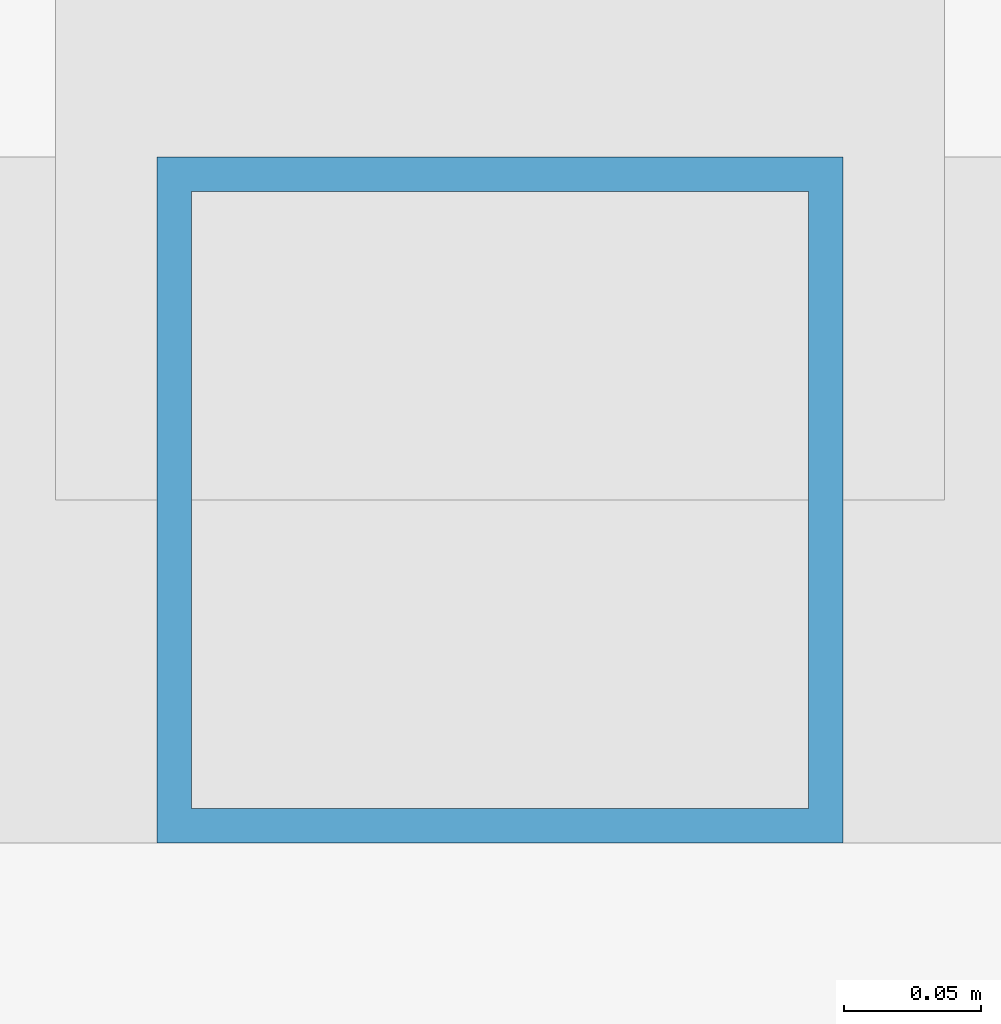
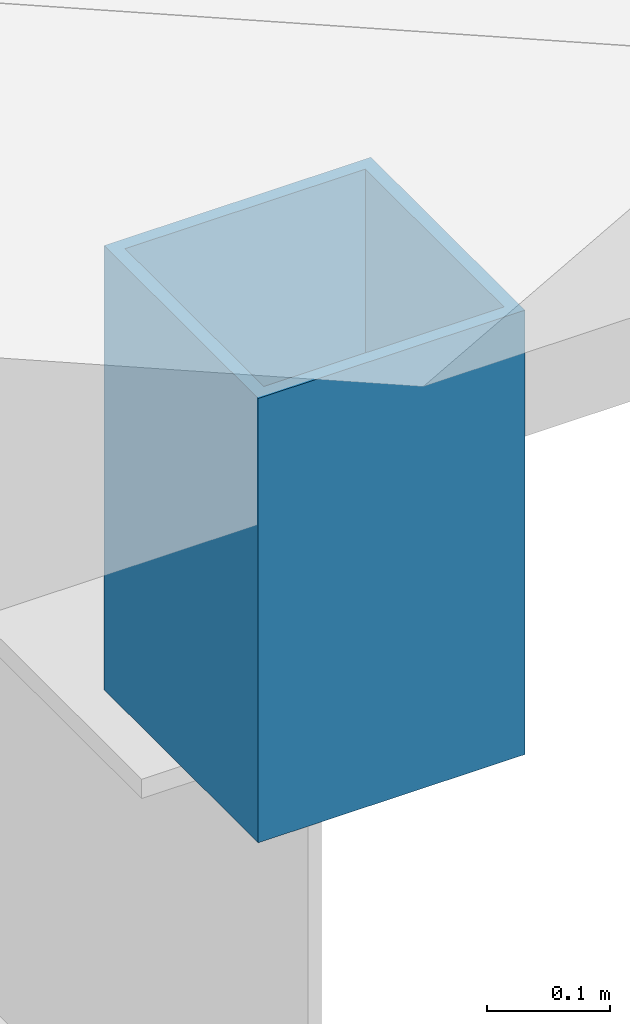
# One storey, part 5 of 13: 1 member.
"""IFC4 building model written with IfcOpenShell, lengths in metres."""

import ifcopenshell
import ifcopenshell.guid

model = None  # the IFC model being written
_history = None  # IfcOwnerHistory: only IFC2X3 demands one
_inside = {}  # id of a spatial element -> (the spatial element, [elements in it])
_under = {}  # id of a project, library or spatial element -> (it, [spatial elements below it])
_declared = {}  # id of a project -> (the project, [libraries it declares])
_typed = {}  # id of a type object -> (the type object, [elements of that type])
_made_of = {}  # id of a material, layer set ... -> (it, [elements and type objects made of it])


def new_model(schema):
    """Start an empty IFC model of exactly this schema.

    Asked for "IFC4X3", IfcOpenShell would pick the latest addendum, in which some entities
    have other attributes; the version numbers below select the first issue.
    IFC2X3 requires an IfcOwnerHistory on every rooted entity: one is made here for all.
    """
    global model, _history
    if schema == "IFC4X3":
        model = ifcopenshell.file(schema_version=(4, 3, 0, 0))
    else:
        model = ifcopenshell.file(schema=schema)
    _inside.clear()
    _under.clear()
    _declared.clear()
    _typed.clear()
    _made_of.clear()
    _history = None
    if model.schema == "IFC2X3":
        org = make("IfcOrganization", Name="unknown")
        user = make(
            "IfcPersonAndOrganization",
            ThePerson=make("IfcPerson", FamilyName="unknown"),
            TheOrganization=org,
        )
        app = make(
            "IfcApplication",
            ApplicationDeveloper=org,
            Version="unknown",
            ApplicationFullName="unknown",
            ApplicationIdentifier="unknown",
        )
        _history = make(
            "IfcOwnerHistory",
            OwningUser=user,
            OwningApplication=app,
            ChangeAction="ADDED",
            CreationDate=0,
        )
    return model


def make(cls, **values):
    """One entity of the class cls with the attributes given. An attribute that is None is left unset."""
    return model.create_entity(
        cls, **{name: value for name, value in values.items() if value is not None}
    )


def rooted(cls, **values):
    """An entity with a GlobalId (a new one), such as an element, a storey or a relation."""
    return make(cls, GlobalId=ifcopenshell.guid.new(), OwnerHistory=_history, **values)


def si_unit(unit_type, name, prefix=None):
    """IfcSIUnit, for example si_unit("LENGTHUNIT", "METRE", prefix="MILLI")."""
    return make("IfcSIUnit", UnitType=unit_type, Prefix=prefix, Name=name)


def assignment(units):
    """IfcUnitAssignment: the units of a project."""
    return None if units is None else make("IfcUnitAssignment", Units=units)


def point(xyz):
    """IfcCartesianPoint."""
    return None if xyz is None else make("IfcCartesianPoint", Coordinates=xyz)


def direction(xyz):
    """IfcDirection."""
    return None if xyz is None else make("IfcDirection", DirectionRatios=xyz)


def frame(location, z_axis=None, x_axis=None):
    """IfcAxis2Placement3D, a coordinate frame: its origin and axes. An axis left out is left unset."""
    return make(
        "IfcAxis2Placement3D",
        Location=point(location),
        Axis=direction(z_axis),
        RefDirection=direction(x_axis),
    )


def frame_2d(location, x_axis=None):
    """IfcAxis2Placement2D, a coordinate frame in the plane: its origin and x axis."""
    return make(
        "IfcAxis2Placement2D", Location=point(location), RefDirection=direction(x_axis)
    )


def origin():
    """The frame at (0, 0, 0) with its axes left unset."""
    return frame((0.0, 0.0, 0.0))


def origin_2d():
    """The frame at (0, 0) in the plane with its x axis left unset."""
    return frame_2d((0.0, 0.0))


def place(relative_to, where):
    """IfcLocalPlacement: puts the frame where relative to a parent placement (None: the world)."""
    return make(
        "IfcLocalPlacement", PlacementRelTo=relative_to, RelativePlacement=where
    )


def context(
    kind, dimensions, precision=None, world=None, true_north=None, identifier=None
):
    """IfcGeometricRepresentationContext, for example the 3D "Model" context."""
    return make(
        "IfcGeometricRepresentationContext",
        ContextIdentifier=identifier,
        ContextType=kind,
        CoordinateSpaceDimension=dimensions,
        Precision=precision,
        WorldCoordinateSystem=world,
        TrueNorth=true_north,
    )


def subcontext(parent, identifier, kind, view, scale=None):
    """IfcGeometricRepresentationSubContext, for example "Body" below "Model"."""
    return make(
        "IfcGeometricRepresentationSubContext",
        ContextIdentifier=identifier,
        ContextType=kind,
        ParentContext=parent,
        TargetScale=scale,
        TargetView=view,
    )


def project(units=None, contexts=None):
    """IfcProject with its units and contexts."""
    return rooted(
        "IfcProject",
        Name="project",
        RepresentationContexts=contexts,
        UnitsInContext=assignment(units),
    )


def spatial(cls, under=None, at=None, **own):
    """A site, building, storey or space (cls), placed at a placement, below another one or the project."""
    s = rooted(cls, ObjectPlacement=at, **own)
    if under is not None:
        _under.setdefault(under.id(), (under, []))[1].append(s)
    return s


def profile(cls, at=None, kind="AREA", **sizes):
    """A parametric profile (cls). Its sizes go by their IFC names, for example OverallWidth=200.0."""
    return make(cls, ProfileType=kind, Position=at, **sizes)


def hollow_rectangle(**sizes):
    """IfcRectangleHollowProfileDef."""
    return profile("IfcRectangleHollowProfileDef", **sizes)


def extrude(swept, where, along, depth):
    """IfcExtrudedAreaSolid: the profile swept, set in the frame where, extruded along a direction by depth."""
    return make(
        "IfcExtrudedAreaSolid",
        SweptArea=swept,
        Position=where,
        ExtrudedDirection=direction(along),
        Depth=depth,
    )


def shape(context_of_items, identifier, shape_type, items):
    """IfcShapeRepresentation: the items that make up one representation, for example the "Body"."""
    return make(
        "IfcShapeRepresentation",
        ContextOfItems=context_of_items,
        RepresentationIdentifier=identifier,
        RepresentationType=shape_type,
        Items=items,
    )


def material(Name=None, Category=None):
    """IfcMaterial."""
    return make("IfcMaterial", Name=Name, Category=Category)


def material_profile(
    of_material, cross_section, Name=None, Category=None, Priority=None
):
    """IfcMaterialProfile: a cross section and its material."""
    return make(
        "IfcMaterialProfile",
        Name=Name,
        Material=of_material,
        Profile=cross_section,
        Priority=Priority,
        Category=Category,
    )


def profile_set(profiles, Name=None, composite=None):
    """IfcMaterialProfileSet."""
    return make(
        "IfcMaterialProfileSet",
        Name=Name,
        MaterialProfiles=profiles,
        CompositeProfile=composite,
    )


def made_of(thing, what):
    """Note that an element or type object is made of a material, layer set ...; save() writes the relation."""
    if what is not None:
        _made_of.setdefault(what.id(), (what, []))[1].append(thing)
    return thing


def type_object(cls, material=None, **own):
    """A type object (cls), such as IfcWallType, which elements share."""
    return made_of(rooted(cls, **own), material)


def element(
    cls,
    number,
    at=None,
    inside=None,
    cuts=None,
    type_object=None,
    material=None,
    context=None,
    identifier="Body",
    shape_type=None,
    held_by="IfcProductDefinitionShape",
    body=None,
    shapes=None,
    **own,
):
    """One element of the class cls, such as IfcWall. Its Tag is "e" and its number.

    at: its placement. inside: the storey or other place that contains it. cuts: it is an
    opening in that element (IfcRelVoidsElement). A single representation is given by context,
    identifier, shape_type and body (its items); several are given by shapes. held_by: the class
    of the entity that holds the representations. save() writes the other relations.
    """
    e = rooted(cls, Tag="e%d" % number, ObjectPlacement=at, **own)
    if body is not None:
        shapes = [shape(context, identifier, shape_type, body)]
    if shapes is not None:
        e.Representation = make(held_by, Representations=shapes)
    if inside is not None:
        _inside.setdefault(inside.id(), (inside, []))[1].append(e)
    if cuts is not None:
        rooted(
            "IfcRelVoidsElement", RelatingBuildingElement=cuts, RelatedOpeningElement=e
        )
    if type_object is not None:
        _typed.setdefault(type_object.id(), (type_object, []))[1].append(e)
    return made_of(e, material)


def aggregate(whole, parts):
    """IfcRelAggregates: a whole, such as a stair, and the parts it consists of."""
    return rooted("IfcRelAggregates", RelatingObject=whole, RelatedObjects=parts)


def save(model, path):
    """Write the relations noted so far, then the file.

    IfcRelAggregates (storeys below a building ...), IfcRelContainedInSpatialStructure (elements
    in a storey), IfcRelDefinesByType, IfcRelAssociatesMaterial and IfcRelDeclares: one each for
    every whole, place, type object, material and project.
    """
    for whole, parts in _under.values():
        aggregate(whole, parts)
    for where, things in _inside.values():
        rooted(
            "IfcRelContainedInSpatialStructure",
            RelatedElements=things,
            RelatingStructure=where,
        )
    for kind, things in _typed.values():
        rooted("IfcRelDefinesByType", RelatedObjects=things, RelatingType=kind)
    for what, things in _made_of.values():
        rooted("IfcRelAssociatesMaterial", RelatedObjects=things, RelatingMaterial=what)
    for by, libraries in _declared.values():
        rooted("IfcRelDeclares", RelatingContext=by, RelatedDefinitions=libraries)
    model.write(path)


model = new_model("IFC4")

# Units and contexts
model_context = context("Model", 3, precision=1e-05, world=origin(), true_north=direction((0.0, 1.0)))
body_context = subcontext(model_context, "Body", "Model", "MODEL_VIEW")
ifc_project = project(units=[si_unit("LENGTHUNIT", "METRE"), si_unit("AREAUNIT", "SQUARE_METRE"), si_unit("VOLUMEUNIT", "CUBIC_METRE"), si_unit("PLANEANGLEUNIT", "RADIAN"), si_unit("MASSUNIT", "GRAM", prefix="KILO")], contexts=[model_context])

# Site, building, storey
site_placement = place(None, origin())
site = spatial("IfcSite", under=ifc_project, at=site_placement, CompositionType="ELEMENT")
building_placement = place(site_placement, origin())
building = spatial("IfcBuilding", under=site, at=building_placement, Name="Cumbredor Promenade Congress Hotel", CompositionType="ELEMENT")
storey_placement = place(building_placement, frame((0.0, 0.0, 38.639892578125)))
storey = spatial("IfcBuildingStorey", under=building, at=storey_placement, Name="RF", CompositionType="ELEMENT", Elevation=38.639892578125)

# Member
ifc_material = material(Name="Steel ASTM A500 Grade C", Category="steel")
ifc_material_profile = material_profile(ifc_material, hollow_rectangle(XDim=0.25, YDim=0.25, WallThickness=0.012451171875, at=origin_2d()), Name="HSS 250x250x12.5")
ifc_profile_set = profile_set([ifc_material_profile], Name="Steel ASTM A500 Grade C")
member_type = type_object("IfcMemberType", Name="Hotel Tropical Roof Rafter Chord", PredefinedType="RAFTER", material=ifc_profile_set)
member_placement = place(storey_placement, frame((50.39990234375, 89.949951171875, -0.219970703125), z_axis=(0.0, 0.0, 1.0), x_axis=(1.0, 0.0, 0.0)))
element("IfcMember", 1, at=member_placement, inside=storey, type_object=member_type, Name="Hotel Broad-Eave Roof Eave Post X50S", PredefinedType="RAFTER", context=body_context, shape_type="SweptSolid", body=[
    extrude(hollow_rectangle(XDim=0.25, YDim=0.25, WallThickness=0.012451171875, at=origin_2d()), origin(), (0.0, 0.0, 1.0), 0.440185546875),
])

save(model, "model.ifc")
